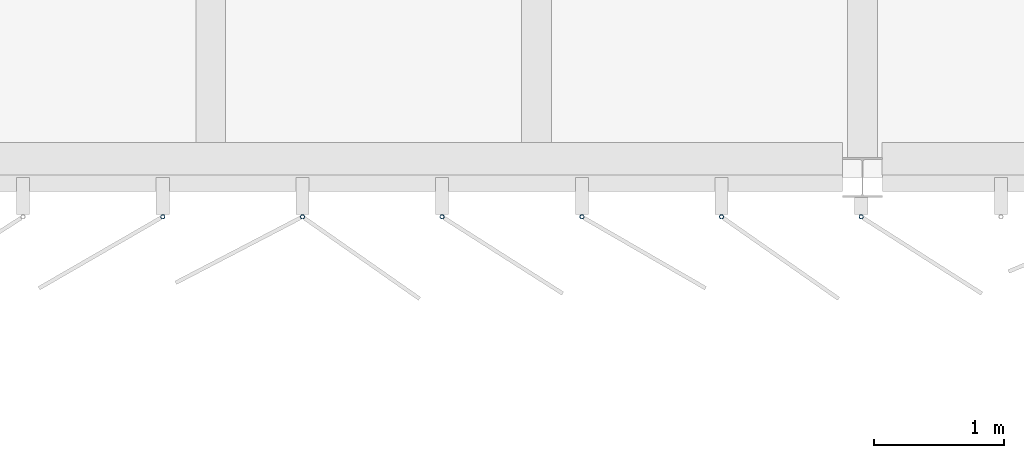
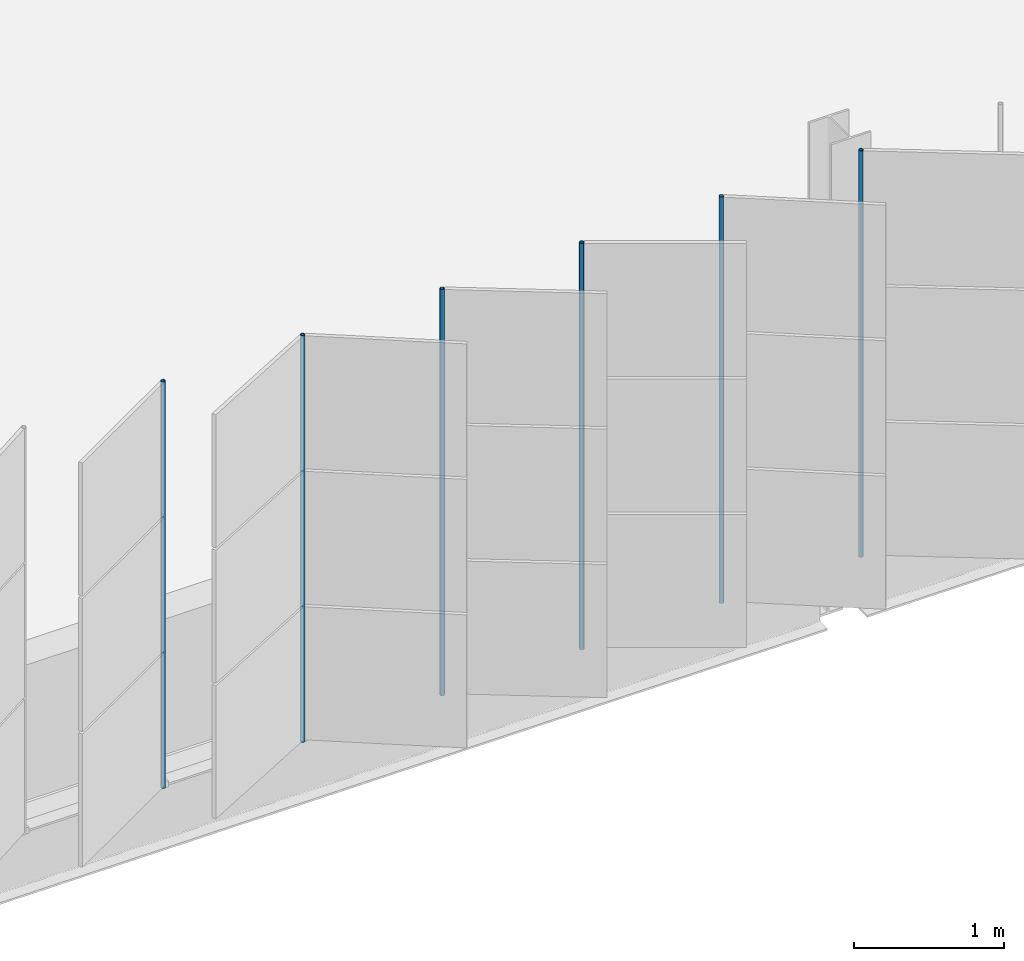
# One storey, part 83 of 199: 6 discrete accessories.
"""IFC4 building model written with IfcOpenShell, lengths in metres."""

import ifcopenshell
import ifcopenshell.guid

model = None  # the IFC model being written
_history = None  # IfcOwnerHistory: only IFC2X3 demands one
_inside = {}  # id of a spatial element -> (the spatial element, [elements in it])
_under = {}  # id of a project, library or spatial element -> (it, [spatial elements below it])
_declared = {}  # id of a project -> (the project, [libraries it declares])
_typed = {}  # id of a type object -> (the type object, [elements of that type])
_made_of = {}  # id of a material, layer set ... -> (it, [elements and type objects made of it])


def new_model(schema):
    """Start an empty IFC model of exactly this schema.

    Asked for "IFC4X3", IfcOpenShell would pick the latest addendum, in which some entities
    have other attributes; the version numbers below select the first issue.
    IFC2X3 requires an IfcOwnerHistory on every rooted entity: one is made here for all.
    """
    global model, _history
    if schema == "IFC4X3":
        model = ifcopenshell.file(schema_version=(4, 3, 0, 0))
    else:
        model = ifcopenshell.file(schema=schema)
    _inside.clear()
    _under.clear()
    _declared.clear()
    _typed.clear()
    _made_of.clear()
    _history = None
    if model.schema == "IFC2X3":
        org = make("IfcOrganization", Name="unknown")
        user = make(
            "IfcPersonAndOrganization",
            ThePerson=make("IfcPerson", FamilyName="unknown"),
            TheOrganization=org,
        )
        app = make(
            "IfcApplication",
            ApplicationDeveloper=org,
            Version="unknown",
            ApplicationFullName="unknown",
            ApplicationIdentifier="unknown",
        )
        _history = make(
            "IfcOwnerHistory",
            OwningUser=user,
            OwningApplication=app,
            ChangeAction="ADDED",
            CreationDate=0,
        )
    return model


def make(cls, **values):
    """One entity of the class cls with the attributes given. An attribute that is None is left unset."""
    return model.create_entity(
        cls, **{name: value for name, value in values.items() if value is not None}
    )


def rooted(cls, **values):
    """An entity with a GlobalId (a new one), such as an element, a storey or a relation."""
    return make(cls, GlobalId=ifcopenshell.guid.new(), OwnerHistory=_history, **values)


def si_unit(unit_type, name, prefix=None):
    """IfcSIUnit, for example si_unit("LENGTHUNIT", "METRE", prefix="MILLI")."""
    return make("IfcSIUnit", UnitType=unit_type, Prefix=prefix, Name=name)


def assignment(units):
    """IfcUnitAssignment: the units of a project."""
    return None if units is None else make("IfcUnitAssignment", Units=units)


def point(xyz):
    """IfcCartesianPoint."""
    return None if xyz is None else make("IfcCartesianPoint", Coordinates=xyz)


def direction(xyz):
    """IfcDirection."""
    return None if xyz is None else make("IfcDirection", DirectionRatios=xyz)


def frame(location, z_axis=None, x_axis=None):
    """IfcAxis2Placement3D, a coordinate frame: its origin and axes. An axis left out is left unset."""
    return make(
        "IfcAxis2Placement3D",
        Location=point(location),
        Axis=direction(z_axis),
        RefDirection=direction(x_axis),
    )


def frame_2d(location, x_axis=None):
    """IfcAxis2Placement2D, a coordinate frame in the plane: its origin and x axis."""
    return make(
        "IfcAxis2Placement2D", Location=point(location), RefDirection=direction(x_axis)
    )


def origin():
    """The frame at (0, 0, 0) with its axes left unset."""
    return frame((0.0, 0.0, 0.0))


def origin_2d():
    """The frame at (0, 0) in the plane with its x axis left unset."""
    return frame_2d((0.0, 0.0))


def place(relative_to, where):
    """IfcLocalPlacement: puts the frame where relative to a parent placement (None: the world)."""
    return make(
        "IfcLocalPlacement", PlacementRelTo=relative_to, RelativePlacement=where
    )


def context(
    kind, dimensions, precision=None, world=None, true_north=None, identifier=None
):
    """IfcGeometricRepresentationContext, for example the 3D "Model" context."""
    return make(
        "IfcGeometricRepresentationContext",
        ContextIdentifier=identifier,
        ContextType=kind,
        CoordinateSpaceDimension=dimensions,
        Precision=precision,
        WorldCoordinateSystem=world,
        TrueNorth=true_north,
    )


def subcontext(parent, identifier, kind, view, scale=None):
    """IfcGeometricRepresentationSubContext, for example "Body" below "Model"."""
    return make(
        "IfcGeometricRepresentationSubContext",
        ContextIdentifier=identifier,
        ContextType=kind,
        ParentContext=parent,
        TargetScale=scale,
        TargetView=view,
    )


def project(units=None, contexts=None):
    """IfcProject with its units and contexts."""
    return rooted(
        "IfcProject",
        Name="project",
        RepresentationContexts=contexts,
        UnitsInContext=assignment(units),
    )


def spatial(cls, under=None, at=None, **own):
    """A site, building, storey or space (cls), placed at a placement, below another one or the project."""
    s = rooted(cls, ObjectPlacement=at, **own)
    if under is not None:
        _under.setdefault(under.id(), (under, []))[1].append(s)
    return s


def profile(cls, at=None, kind="AREA", **sizes):
    """A parametric profile (cls). Its sizes go by their IFC names, for example OverallWidth=200.0."""
    return make(cls, ProfileType=kind, Position=at, **sizes)


def hollow_circle(**sizes):
    """IfcCircleHollowProfileDef."""
    return profile("IfcCircleHollowProfileDef", **sizes)


def extrude(swept, where, along, depth):
    """IfcExtrudedAreaSolid: the profile swept, set in the frame where, extruded along a direction by depth."""
    return make(
        "IfcExtrudedAreaSolid",
        SweptArea=swept,
        Position=where,
        ExtrudedDirection=direction(along),
        Depth=depth,
    )


def shape(context_of_items, identifier, shape_type, items):
    """IfcShapeRepresentation: the items that make up one representation, for example the "Body"."""
    return make(
        "IfcShapeRepresentation",
        ContextOfItems=context_of_items,
        RepresentationIdentifier=identifier,
        RepresentationType=shape_type,
        Items=items,
    )


def material(Name=None, Category=None):
    """IfcMaterial."""
    return make("IfcMaterial", Name=Name, Category=Category)


def material_profile(
    of_material, cross_section, Name=None, Category=None, Priority=None
):
    """IfcMaterialProfile: a cross section and its material."""
    return make(
        "IfcMaterialProfile",
        Name=Name,
        Material=of_material,
        Profile=cross_section,
        Priority=Priority,
        Category=Category,
    )


def profile_set(profiles, Name=None, composite=None):
    """IfcMaterialProfileSet."""
    return make(
        "IfcMaterialProfileSet",
        Name=Name,
        MaterialProfiles=profiles,
        CompositeProfile=composite,
    )


def made_of(thing, what):
    """Note that an element or type object is made of a material, layer set ...; save() writes the relation."""
    if what is not None:
        _made_of.setdefault(what.id(), (what, []))[1].append(thing)
    return thing


def type_object(cls, material=None, **own):
    """A type object (cls), such as IfcWallType, which elements share."""
    return made_of(rooted(cls, **own), material)


def element(
    cls,
    number,
    at=None,
    inside=None,
    cuts=None,
    type_object=None,
    material=None,
    context=None,
    identifier="Body",
    shape_type=None,
    held_by="IfcProductDefinitionShape",
    body=None,
    shapes=None,
    **own,
):
    """One element of the class cls, such as IfcWall. Its Tag is "e" and its number.

    at: its placement. inside: the storey or other place that contains it. cuts: it is an
    opening in that element (IfcRelVoidsElement). A single representation is given by context,
    identifier, shape_type and body (its items); several are given by shapes. held_by: the class
    of the entity that holds the representations. save() writes the other relations.
    """
    e = rooted(cls, Tag="e%d" % number, ObjectPlacement=at, **own)
    if body is not None:
        shapes = [shape(context, identifier, shape_type, body)]
    if shapes is not None:
        e.Representation = make(held_by, Representations=shapes)
    if inside is not None:
        _inside.setdefault(inside.id(), (inside, []))[1].append(e)
    if cuts is not None:
        rooted(
            "IfcRelVoidsElement", RelatingBuildingElement=cuts, RelatedOpeningElement=e
        )
    if type_object is not None:
        _typed.setdefault(type_object.id(), (type_object, []))[1].append(e)
    return made_of(e, material)


def aggregate(whole, parts):
    """IfcRelAggregates: a whole, such as a stair, and the parts it consists of."""
    return rooted("IfcRelAggregates", RelatingObject=whole, RelatedObjects=parts)


def save(model, path):
    """Write the relations noted so far, then the file.

    IfcRelAggregates (storeys below a building ...), IfcRelContainedInSpatialStructure (elements
    in a storey), IfcRelDefinesByType, IfcRelAssociatesMaterial and IfcRelDeclares: one each for
    every whole, place, type object, material and project.
    """
    for whole, parts in _under.values():
        aggregate(whole, parts)
    for where, things in _inside.values():
        rooted(
            "IfcRelContainedInSpatialStructure",
            RelatedElements=things,
            RelatingStructure=where,
        )
    for kind, things in _typed.values():
        rooted("IfcRelDefinesByType", RelatedObjects=things, RelatingType=kind)
    for what, things in _made_of.values():
        rooted("IfcRelAssociatesMaterial", RelatedObjects=things, RelatingMaterial=what)
    for by, libraries in _declared.values():
        rooted("IfcRelDeclares", RelatingContext=by, RelatedDefinitions=libraries)
    model.write(path)


model = new_model("IFC4")

# Units and contexts
model_context = context("Model", 3, precision=1e-05, world=origin(), true_north=direction((0.0, 1.0)))
body_context = subcontext(model_context, "Body", "Model", "MODEL_VIEW")
ifc_project = project(units=[si_unit("LENGTHUNIT", "METRE"), si_unit("AREAUNIT", "SQUARE_METRE"), si_unit("VOLUMEUNIT", "CUBIC_METRE"), si_unit("PLANEANGLEUNIT", "RADIAN"), si_unit("MASSUNIT", "GRAM", prefix="KILO")], contexts=[model_context])

# Site, building, storey
site_placement = place(None, origin())
site = spatial("IfcSite", under=ifc_project, at=site_placement, CompositionType="ELEMENT")
building_placement = place(site_placement, origin())
building = spatial("IfcBuilding", under=site, at=building_placement, Name="Parallax Yard Mobility Hub", CompositionType="ELEMENT")
storey_placement = place(building_placement, frame((0.0, 0.0, 9.89990234375)))
storey = spatial("IfcBuildingStorey", under=building, at=storey_placement, Name="L03", CompositionType="ELEMENT", Elevation=9.89990234375)

# Discrete accessories
ifc_material = material(Name="Steel ASTM A500 Gr C, hot-dip galvanised", Category="steel")
ifc_material_profile = material_profile(ifc_material, hollow_circle(Radius=0.016845703125, WallThickness=0.003173828125, at=origin_2d()), Name="CHS 33.7x3.2")
ifc_profile_set = profile_set([ifc_material_profile], Name="Steel ASTM A500 Gr C, hot-dip galvanised")
discrete_accessory_type = type_object("IfcDiscreteAccessoryType", Name="Hinge post CHS 33.7x3.2", PredefinedType="BRACKET", material=ifc_profile_set)
for number, where, z_axis, x_axis, name in (
    (1, (99.6328125, 112.199951171875, 0.0), (0.0, 0.0, 1.0), (1.0, 0.0, 0.0), "Hinge post bay 9.3 level L03"),
    (2, (100.704345703125, 112.199951171875, 0.0), (0.0, 0.0, 1.0), (1.0, 0.0, 0.0), "Hinge post bay 9.4 level L03"),
    (3, (101.77587890625, 112.199951171875, 0.0), (0.0, 0.0, 1.0), (1.0, 0.0, 0.0), "Hinge post bay 9.5 level L03"),
    (4, (102.847412109375, 112.199951171875, 0.0), (0.0, 0.0, 1.0), (1.0, 0.0, 0.0), "Hinge post bay 9.6 level L03"),
    (5, (103.9189453125, 112.199951171875, 0.0), (0.0, 0.0, 1.0), (1.0, 0.0, 0.0), "Hinge post bay 9.7 level L03"),
    (6, (104.990478515625, 112.199951171875, 0.0), (0.0, 0.0, 1.0), (1.0, 0.0, 0.0), "Hinge post bay 10.1 level L03"),
):
    element("IfcDiscreteAccessory", number, at=place(storey_placement, frame(where, z_axis=z_axis, x_axis=x_axis)), inside=storey, type_object=discrete_accessory_type, Name=name, PredefinedType="BRACKET", context=body_context, shape_type="SweptSolid", body=[
        extrude(hollow_circle(Radius=0.016845703125, WallThickness=0.003173828125, at=origin_2d()), origin(), (0.0, 0.0, 1.0), 3.300048828125),
    ])

save(model, "model.ifc")
